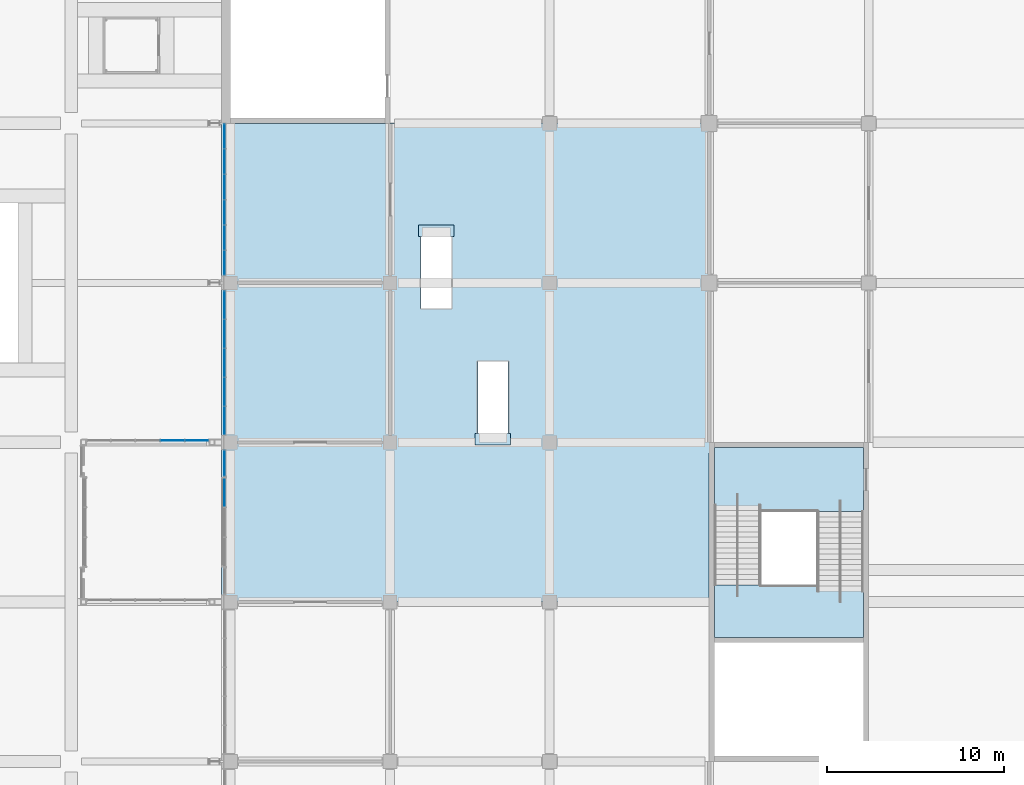
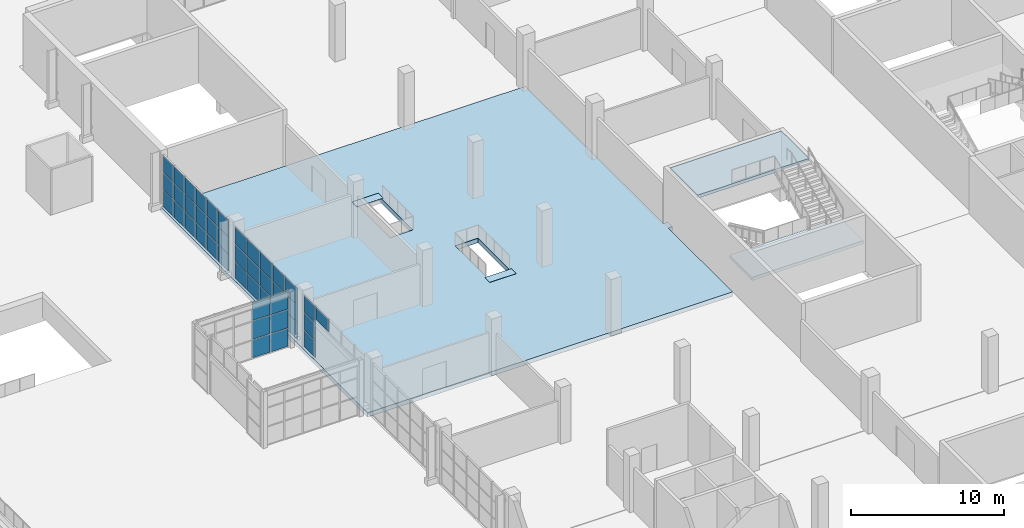
# One storey, part 81 of 168: 43 plates, 5 slabs, 6 elements without a shape of their own.
"""IFC4 building model written with IfcOpenShell, lengths in metres."""

from ifc_helpers import new_model, si_unit, direction, frame, origin, origin_2d, place, context, subcontext, project, spatial, polyline, rectangle, outline, extrude, material, layer, layer_set, type_object, element, aggregate, save


model = new_model("IFC4")

# Units and contexts
model_context = context("Model", 3, precision=1e-05, world=origin(), true_north=direction((0.0, 1.0)))
body_context = subcontext(model_context, "Body", "Model", "MODEL_VIEW")
ifc_project = project(units=[si_unit("LENGTHUNIT", "METRE"), si_unit("AREAUNIT", "SQUARE_METRE"), si_unit("VOLUMEUNIT", "CUBIC_METRE"), si_unit("PLANEANGLEUNIT", "RADIAN"), si_unit("MASSUNIT", "GRAM", prefix="KILO")], contexts=[model_context])

# Site, building, storey
site_placement = place(None, origin())
site = spatial("IfcSite", under=ifc_project, at=site_placement, CompositionType="ELEMENT")
building_placement = place(site_placement, origin())
building = spatial("IfcBuilding", under=site, at=building_placement, Name="Silverbay Arena", CompositionType="ELEMENT")
storey_placement = place(building_placement, frame((0.0, 0.0, 7.0)))
storey = spatial("IfcBuildingStorey", under=building, at=storey_placement, Name="L01", CompositionType="ELEMENT", Elevation=7.0)

# Slabs
ifc_material_1 = material(Name="Stainless steel", Category="steel")
ifc_layer_1 = layer(ifc_material_1, 0.011962890625)
ifc_layer_set_1 = layer_set([ifc_layer_1], Name="Stainless steel")
slab_type_1 = type_object("IfcSlabType", Name="Escalator landing plate 12", PredefinedType="LANDING", material=ifc_layer_set_1)
slab_1_placement = place(storey_placement, origin())
element("IfcSlab", 1, at=slab_1_placement, inside=storey, type_object=slab_type_1, Name="Escalator landing plate LF30", PredefinedType="LANDING", context=body_context, shape_type="SweptSolid", body=[
    extrude(outline(polyline([(37.60009765625, 119.624267578125), (39.60009765625, 119.624267578125), (39.60009765625, 120.2744140625), (37.60009765625, 120.2744140625), (37.60009765625, 119.624267578125)])), origin(), (0.0, 0.0, 1.0), 0.011962890625),
])
slab_2_placement = place(storey_placement, origin())
element("IfcSlab", 2, at=slab_2_placement, inside=storey, type_object=slab_type_1, Name="Escalator landing plate LF31", PredefinedType="LANDING", context=body_context, shape_type="SweptSolid", body=[
    extrude(outline(polyline([(40.800048828125, 107.85009765625), (42.800048828125, 107.85009765625), (42.800048828125, 108.5), (40.800048828125, 108.5), (40.800048828125, 107.85009765625)])), origin(), (0.0, 0.0, 1.0), 0.011962890625),
])

# Curtain wall, plates
ifc_material_2 = material(Name="Aluminium framed curtain wall", Category="aluminium")
curtain_wall_type_1 = type_object("IfcCurtainWallType", Name="Curtain wall 1550 x 4150", PredefinedType="NOTDEFINED", material=ifc_material_2)
curtain_wall_1_placement = place(storey_placement, origin())
curtain_wall_1 = element("IfcCurtainWall", 3, at=curtain_wall_1_placement, inside=storey, type_object=curtain_wall_type_1, Name="West curtain wall L01 bay 10", PredefinedType="NOTDEFINED")
ifc_material_3 = material(Name="Laminated glass", Category="glass")
ifc_layer_2 = layer(ifc_material_3, 0.028076171875)
ifc_layer_set_2 = layer_set([ifc_layer_2], Name="Laminated glass")
plate_type = type_object("IfcPlateType", Name="Glass panel 28", PredefinedType="CURTAIN_PANEL", material=ifc_layer_set_2)
plate_1_placement = place(storey_placement, frame((26.669921875, 106.824951171875, 0.0498046875), z_axis=(0.0, 0.0, 1.0), x_axis=(0.0, -1.0, 0.0)))
plate_1 = element("IfcPlate", 4, at=plate_1_placement, type_object=plate_type, Name="CW8 panel 1.1", PredefinedType="CURTAIN_PANEL", context=body_context, shape_type="SweptSolid", body=[
    extrude(rectangle(XDim=1.429931640625, YDim=0.028076171875, at=origin_2d()), origin(), (0.0, 0.0, 1.0), 1.308349609375),
])
plate_2_placement = place(storey_placement, frame((26.669921875, 106.824951171875, 1.408203125), z_axis=(0.0, 0.0, 1.0), x_axis=(0.0, -1.0, 0.0)))
plate_2 = element("IfcPlate", 5, at=plate_2_placement, type_object=plate_type, Name="CW8 panel 1.2", PredefinedType="CURTAIN_PANEL", context=body_context, shape_type="SweptSolid", body=[
    extrude(rectangle(XDim=1.429931640625, YDim=0.028076171875, at=origin_2d()), origin(), (0.0, 0.0, 1.0), 1.333251953125),
])
plate_3_placement = place(storey_placement, frame((26.669921875, 106.824951171875, 2.79150390625), z_axis=(0.0, 0.0, 1.0), x_axis=(0.0, -1.0, 0.0)))
plate_3 = element("IfcPlate", 6, at=plate_3_placement, type_object=plate_type, Name="CW8 panel 1.3", PredefinedType="CURTAIN_PANEL", context=body_context, shape_type="SweptSolid", body=[
    extrude(rectangle(XDim=1.429931640625, YDim=0.028076171875, at=origin_2d()), origin(), (0.0, 0.0, 1.0), 1.308349609375),
])
aggregate(curtain_wall_1, [plate_1, plate_2, plate_3])

# Curtain wall, plate
ifc_material_4 = material(Name="Aluminium framed curtain wall", Category="aluminium")
curtain_wall_type_2 = type_object("IfcCurtainWallType", Name="Curtain wall 5100 x 1050", PredefinedType="NOTDEFINED", material=ifc_material_4)
curtain_wall_2_placement = place(storey_placement, origin())
curtain_wall_2 = element("IfcCurtainWall", 7, at=curtain_wall_2_placement, inside=storey, type_object=curtain_wall_type_2, Name="West curtain wall L01 bay 10", PredefinedType="NOTDEFINED")
plate_4_placement = place(storey_placement, frame((26.669921875, 105.18505859375, 3.14990234375), z_axis=(0.0, 0.0, 1.0), x_axis=(0.0, -1.0, 0.0)))
plate_4 = element("IfcPlate", 8, at=plate_4_placement, type_object=plate_type, Name="CW9 panel 1.1", PredefinedType="CURTAIN_PANEL", context=body_context, shape_type="SweptSolid", body=[
    extrude(rectangle(XDim=1.610107421875, YDim=0.028076171875, at=origin_2d()), origin(), (0.0, 0.0, 1.0), 0.949951171875),
])
aggregate(curtain_wall_2, [plate_4])

# Curtain wall, plates
ifc_material_5 = material(Name="Aluminium framed curtain wall", Category="aluminium")
curtain_wall_type_3 = type_object("IfcCurtainWallType", Name="Curtain wall 8200 x 4150", PredefinedType="NOTDEFINED", material=ifc_material_5)
curtain_wall_3_placement = place(storey_placement, origin())
curtain_wall_3 = element("IfcCurtainWall", 9, at=curtain_wall_3_placement, inside=storey, type_object=curtain_wall_type_3, Name="West curtain wall L01 bay 11", PredefinedType="NOTDEFINED")
plate_5_placement = place(storey_placement, frame((26.669921875, 115.764892578125, 0.0498046875), z_axis=(0.0, 0.0, 1.0), x_axis=(0.0, -1.0, 0.0)))
plate_5 = element("IfcPlate", 10, at=plate_5_placement, type_object=plate_type, Name="CW7 panel 1.1", PredefinedType="CURTAIN_PANEL", context=body_context, shape_type="SweptSolid", body=[
    extrude(rectangle(XDim=1.550048828125, YDim=0.028076171875, at=origin_2d()), origin(), (0.0, 0.0, 1.0), 1.308349609375),
])
plate_6_placement = place(storey_placement, frame((26.669921875, 115.764892578125, 1.408203125), z_axis=(0.0, 0.0, 1.0), x_axis=(0.0, -1.0, 0.0)))
plate_6 = element("IfcPlate", 11, at=plate_6_placement, type_object=plate_type, Name="CW7 panel 1.2", PredefinedType="CURTAIN_PANEL", context=body_context, shape_type="SweptSolid", body=[
    extrude(rectangle(XDim=1.550048828125, YDim=0.028076171875, at=origin_2d()), origin(), (0.0, 0.0, 1.0), 1.333251953125),
])
plate_7_placement = place(storey_placement, frame((26.669921875, 115.764892578125, 2.79150390625), z_axis=(0.0, 0.0, 1.0), x_axis=(0.0, -1.0, 0.0)))
plate_7 = element("IfcPlate", 12, at=plate_7_placement, type_object=plate_type, Name="CW7 panel 1.3", PredefinedType="CURTAIN_PANEL", context=body_context, shape_type="SweptSolid", body=[
    extrude(rectangle(XDim=1.550048828125, YDim=0.028076171875, at=origin_2d()), origin(), (0.0, 0.0, 1.0), 1.308349609375),
])
plate_8_placement = place(storey_placement, frame((26.669921875, 114.139892578125, 0.0498046875), z_axis=(0.0, 0.0, 1.0), x_axis=(0.0, -1.0, 0.0)))
plate_8 = element("IfcPlate", 13, at=plate_8_placement, type_object=plate_type, Name="CW7 panel 2.1", PredefinedType="CURTAIN_PANEL", context=body_context, shape_type="SweptSolid", body=[
    extrude(rectangle(XDim=1.580078125, YDim=0.028076171875, at=origin_2d()), origin(), (0.0, 0.0, 1.0), 1.308349609375),
])
plate_9_placement = place(storey_placement, frame((26.669921875, 114.139892578125, 1.408203125), z_axis=(0.0, 0.0, 1.0), x_axis=(0.0, -1.0, 0.0)))
plate_9 = element("IfcPlate", 14, at=plate_9_placement, type_object=plate_type, Name="CW7 panel 2.2", PredefinedType="CURTAIN_PANEL", context=body_context, shape_type="SweptSolid", body=[
    extrude(rectangle(XDim=1.580078125, YDim=0.028076171875, at=origin_2d()), origin(), (0.0, 0.0, 1.0), 1.333251953125),
])
plate_10_placement = place(storey_placement, frame((26.669921875, 114.139892578125, 2.79150390625), z_axis=(0.0, 0.0, 1.0), x_axis=(0.0, -1.0, 0.0)))
plate_10 = element("IfcPlate", 15, at=plate_10_placement, type_object=plate_type, Name="CW7 panel 2.3", PredefinedType="CURTAIN_PANEL", context=body_context, shape_type="SweptSolid", body=[
    extrude(rectangle(XDim=1.580078125, YDim=0.028076171875, at=origin_2d()), origin(), (0.0, 0.0, 1.0), 1.308349609375),
])
plate_11_placement = place(storey_placement, frame((26.669921875, 112.5, 0.0498046875), z_axis=(0.0, 0.0, 1.0), x_axis=(0.0, -1.0, 0.0)))
plate_11 = element("IfcPlate", 16, at=plate_11_placement, type_object=plate_type, Name="CW7 panel 3.1", PredefinedType="CURTAIN_PANEL", context=body_context, shape_type="SweptSolid", body=[
    extrude(rectangle(XDim=1.580078125, YDim=0.028076171875, at=origin_2d()), origin(), (0.0, 0.0, 1.0), 1.308349609375),
])
plate_12_placement = place(storey_placement, frame((26.669921875, 112.5, 1.408203125), z_axis=(0.0, 0.0, 1.0), x_axis=(0.0, -1.0, 0.0)))
plate_12 = element("IfcPlate", 17, at=plate_12_placement, type_object=plate_type, Name="CW7 panel 3.2", PredefinedType="CURTAIN_PANEL", context=body_context, shape_type="SweptSolid", body=[
    extrude(rectangle(XDim=1.580078125, YDim=0.028076171875, at=origin_2d()), origin(), (0.0, 0.0, 1.0), 1.333251953125),
])
plate_13_placement = place(storey_placement, frame((26.669921875, 112.5, 2.79150390625), z_axis=(0.0, 0.0, 1.0), x_axis=(0.0, -1.0, 0.0)))
plate_13 = element("IfcPlate", 18, at=plate_13_placement, type_object=plate_type, Name="CW7 panel 3.3", PredefinedType="CURTAIN_PANEL", context=body_context, shape_type="SweptSolid", body=[
    extrude(rectangle(XDim=1.580078125, YDim=0.028076171875, at=origin_2d()), origin(), (0.0, 0.0, 1.0), 1.308349609375),
])
plate_14_placement = place(storey_placement, frame((26.669921875, 110.860107421875, 0.0498046875), z_axis=(0.0, 0.0, 1.0), x_axis=(0.0, -1.0, 0.0)))
plate_14 = element("IfcPlate", 19, at=plate_14_placement, type_object=plate_type, Name="CW7 panel 4.1", PredefinedType="CURTAIN_PANEL", context=body_context, shape_type="SweptSolid", body=[
    extrude(rectangle(XDim=1.580078125, YDim=0.028076171875, at=origin_2d()), origin(), (0.0, 0.0, 1.0), 1.308349609375),
])
plate_15_placement = place(storey_placement, frame((26.669921875, 110.860107421875, 1.408203125), z_axis=(0.0, 0.0, 1.0), x_axis=(0.0, -1.0, 0.0)))
plate_15 = element("IfcPlate", 20, at=plate_15_placement, type_object=plate_type, Name="CW7 panel 4.2", PredefinedType="CURTAIN_PANEL", context=body_context, shape_type="SweptSolid", body=[
    extrude(rectangle(XDim=1.580078125, YDim=0.028076171875, at=origin_2d()), origin(), (0.0, 0.0, 1.0), 1.333251953125),
])
plate_16_placement = place(storey_placement, frame((26.669921875, 110.860107421875, 2.79150390625), z_axis=(0.0, 0.0, 1.0), x_axis=(0.0, -1.0, 0.0)))
plate_16 = element("IfcPlate", 21, at=plate_16_placement, type_object=plate_type, Name="CW7 panel 4.3", PredefinedType="CURTAIN_PANEL", context=body_context, shape_type="SweptSolid", body=[
    extrude(rectangle(XDim=1.580078125, YDim=0.028076171875, at=origin_2d()), origin(), (0.0, 0.0, 1.0), 1.308349609375),
])
plate_17_placement = place(storey_placement, frame((26.669921875, 109.235107421875, 0.0498046875), z_axis=(0.0, 0.0, 1.0), x_axis=(0.0, -1.0, 0.0)))
plate_17 = element("IfcPlate", 22, at=plate_17_placement, type_object=plate_type, Name="CW7 panel 5.1", PredefinedType="CURTAIN_PANEL", context=body_context, shape_type="SweptSolid", body=[
    extrude(rectangle(XDim=1.550048828125, YDim=0.028076171875, at=origin_2d()), origin(), (0.0, 0.0, 1.0), 1.308349609375),
])
plate_18_placement = place(storey_placement, frame((26.669921875, 109.235107421875, 1.408203125), z_axis=(0.0, 0.0, 1.0), x_axis=(0.0, -1.0, 0.0)))
plate_18 = element("IfcPlate", 23, at=plate_18_placement, type_object=plate_type, Name="CW7 panel 5.2", PredefinedType="CURTAIN_PANEL", context=body_context, shape_type="SweptSolid", body=[
    extrude(rectangle(XDim=1.550048828125, YDim=0.028076171875, at=origin_2d()), origin(), (0.0, 0.0, 1.0), 1.333251953125),
])
plate_19_placement = place(storey_placement, frame((26.669921875, 109.235107421875, 2.79150390625), z_axis=(0.0, 0.0, 1.0), x_axis=(0.0, -1.0, 0.0)))
plate_19 = element("IfcPlate", 24, at=plate_19_placement, type_object=plate_type, Name="CW7 panel 5.3", PredefinedType="CURTAIN_PANEL", context=body_context, shape_type="SweptSolid", body=[
    extrude(rectangle(XDim=1.550048828125, YDim=0.028076171875, at=origin_2d()), origin(), (0.0, 0.0, 1.0), 1.308349609375),
])
aggregate(curtain_wall_3, [plate_5, plate_6, plate_7, plate_8, plate_9, plate_10, plate_11, plate_12, plate_13, plate_14, plate_15, plate_16, plate_17, plate_18, plate_19])

ifc_material_6 = material(Name="Aluminium framed curtain wall", Category="aluminium")
curtain_wall_type_4 = type_object("IfcCurtainWallType", Name="Curtain wall 8600 x 4150", PredefinedType="NOTDEFINED", material=ifc_material_6)
curtain_wall_4_placement = place(storey_placement, origin())
curtain_wall_4 = element("IfcCurtainWall", 25, at=curtain_wall_4_placement, inside=storey, type_object=curtain_wall_type_4, Name="West curtain wall L01 bay 12", PredefinedType="NOTDEFINED")
plate_20_placement = place(storey_placement, frame((26.669921875, 125.268310546875, 0.0498046875), z_axis=(0.0, 0.0, 1.0), x_axis=(0.0, -1.0, 0.0)))
plate_20 = element("IfcPlate", 26, at=plate_20_placement, type_object=plate_type, Name="CW6 panel 1.1", PredefinedType="CURTAIN_PANEL", context=body_context, shape_type="SweptSolid", body=[
    extrude(rectangle(XDim=1.34326171875, YDim=0.028076171875, at=origin_2d()), origin(), (0.0, 0.0, 1.0), 1.308349609375),
])
plate_21_placement = place(storey_placement, frame((26.669921875, 125.268310546875, 1.408203125), z_axis=(0.0, 0.0, 1.0), x_axis=(0.0, -1.0, 0.0)))
plate_21 = element("IfcPlate", 27, at=plate_21_placement, type_object=plate_type, Name="CW6 panel 1.2", PredefinedType="CURTAIN_PANEL", context=body_context, shape_type="SweptSolid", body=[
    extrude(rectangle(XDim=1.34326171875, YDim=0.028076171875, at=origin_2d()), origin(), (0.0, 0.0, 1.0), 1.333251953125),
])
plate_22_placement = place(storey_placement, frame((26.669921875, 125.268310546875, 2.79150390625), z_axis=(0.0, 0.0, 1.0), x_axis=(0.0, -1.0, 0.0)))
plate_22 = element("IfcPlate", 28, at=plate_22_placement, type_object=plate_type, Name="CW6 panel 1.3", PredefinedType="CURTAIN_PANEL", context=body_context, shape_type="SweptSolid", body=[
    extrude(rectangle(XDim=1.34326171875, YDim=0.028076171875, at=origin_2d()), origin(), (0.0, 0.0, 1.0), 1.308349609375),
])
plate_23_placement = place(storey_placement, frame((26.669921875, 123.85009765625, 0.0498046875), z_axis=(0.0, 0.0, 1.0), x_axis=(0.0, -1.0, 0.0)))
plate_23 = element("IfcPlate", 29, at=plate_23_placement, type_object=plate_type, Name="CW6 panel 2.1", PredefinedType="CURTAIN_PANEL", context=body_context, shape_type="SweptSolid", body=[
    extrude(rectangle(XDim=1.373291015625, YDim=0.028076171875, at=origin_2d()), origin(), (0.0, 0.0, 1.0), 1.308349609375),
])
plate_24_placement = place(storey_placement, frame((26.669921875, 123.85009765625, 1.408203125), z_axis=(0.0, 0.0, 1.0), x_axis=(0.0, -1.0, 0.0)))
plate_24 = element("IfcPlate", 30, at=plate_24_placement, type_object=plate_type, Name="CW6 panel 2.2", PredefinedType="CURTAIN_PANEL", context=body_context, shape_type="SweptSolid", body=[
    extrude(rectangle(XDim=1.373291015625, YDim=0.028076171875, at=origin_2d()), origin(), (0.0, 0.0, 1.0), 1.333251953125),
])
plate_25_placement = place(storey_placement, frame((26.669921875, 123.85009765625, 2.79150390625), z_axis=(0.0, 0.0, 1.0), x_axis=(0.0, -1.0, 0.0)))
plate_25 = element("IfcPlate", 31, at=plate_25_placement, type_object=plate_type, Name="CW6 panel 2.3", PredefinedType="CURTAIN_PANEL", context=body_context, shape_type="SweptSolid", body=[
    extrude(rectangle(XDim=1.373291015625, YDim=0.028076171875, at=origin_2d()), origin(), (0.0, 0.0, 1.0), 1.308349609375),
])
plate_26_placement = place(storey_placement, frame((26.669921875, 122.416748046875, 0.0498046875), z_axis=(0.0, 0.0, 1.0), x_axis=(0.0, -1.0, 0.0)))
plate_26 = element("IfcPlate", 32, at=plate_26_placement, type_object=plate_type, Name="CW6 panel 3.1", PredefinedType="CURTAIN_PANEL", context=body_context, shape_type="SweptSolid", body=[
    extrude(rectangle(XDim=1.373291015625, YDim=0.028076171875, at=origin_2d()), origin(), (0.0, 0.0, 1.0), 1.308349609375),
])
plate_27_placement = place(storey_placement, frame((26.669921875, 122.416748046875, 1.408203125), z_axis=(0.0, 0.0, 1.0), x_axis=(0.0, -1.0, 0.0)))
plate_27 = element("IfcPlate", 33, at=plate_27_placement, type_object=plate_type, Name="CW6 panel 3.2", PredefinedType="CURTAIN_PANEL", context=body_context, shape_type="SweptSolid", body=[
    extrude(rectangle(XDim=1.373291015625, YDim=0.028076171875, at=origin_2d()), origin(), (0.0, 0.0, 1.0), 1.333251953125),
])
plate_28_placement = place(storey_placement, frame((26.669921875, 122.416748046875, 2.79150390625), z_axis=(0.0, 0.0, 1.0), x_axis=(0.0, -1.0, 0.0)))
plate_28 = element("IfcPlate", 34, at=plate_28_placement, type_object=plate_type, Name="CW6 panel 3.3", PredefinedType="CURTAIN_PANEL", context=body_context, shape_type="SweptSolid", body=[
    extrude(rectangle(XDim=1.373291015625, YDim=0.028076171875, at=origin_2d()), origin(), (0.0, 0.0, 1.0), 1.308349609375),
])
plate_29_placement = place(storey_placement, frame((26.669921875, 120.9833984375, 0.0498046875), z_axis=(0.0, 0.0, 1.0), x_axis=(0.0, -1.0, 0.0)))
plate_29 = element("IfcPlate", 35, at=plate_29_placement, type_object=plate_type, Name="CW6 panel 4.1", PredefinedType="CURTAIN_PANEL", context=body_context, shape_type="SweptSolid", body=[
    extrude(rectangle(XDim=1.373291015625, YDim=0.028076171875, at=origin_2d()), origin(), (0.0, 0.0, 1.0), 1.308349609375),
])
plate_30_placement = place(storey_placement, frame((26.669921875, 120.9833984375, 1.408203125), z_axis=(0.0, 0.0, 1.0), x_axis=(0.0, -1.0, 0.0)))
plate_30 = element("IfcPlate", 36, at=plate_30_placement, type_object=plate_type, Name="CW6 panel 4.2", PredefinedType="CURTAIN_PANEL", context=body_context, shape_type="SweptSolid", body=[
    extrude(rectangle(XDim=1.373291015625, YDim=0.028076171875, at=origin_2d()), origin(), (0.0, 0.0, 1.0), 1.333251953125),
])
plate_31_placement = place(storey_placement, frame((26.669921875, 120.9833984375, 2.79150390625), z_axis=(0.0, 0.0, 1.0), x_axis=(0.0, -1.0, 0.0)))
plate_31 = element("IfcPlate", 37, at=plate_31_placement, type_object=plate_type, Name="CW6 panel 4.3", PredefinedType="CURTAIN_PANEL", context=body_context, shape_type="SweptSolid", body=[
    extrude(rectangle(XDim=1.373291015625, YDim=0.028076171875, at=origin_2d()), origin(), (0.0, 0.0, 1.0), 1.308349609375),
])
plate_32_placement = place(storey_placement, frame((26.669921875, 119.550048828125, 0.0498046875), z_axis=(0.0, 0.0, 1.0), x_axis=(0.0, -1.0, 0.0)))
plate_32 = element("IfcPlate", 38, at=plate_32_placement, type_object=plate_type, Name="CW6 panel 5.1", PredefinedType="CURTAIN_PANEL", context=body_context, shape_type="SweptSolid", body=[
    extrude(rectangle(XDim=1.373291015625, YDim=0.028076171875, at=origin_2d()), origin(), (0.0, 0.0, 1.0), 1.308349609375),
])
plate_33_placement = place(storey_placement, frame((26.669921875, 119.550048828125, 1.408203125), z_axis=(0.0, 0.0, 1.0), x_axis=(0.0, -1.0, 0.0)))
plate_33 = element("IfcPlate", 39, at=plate_33_placement, type_object=plate_type, Name="CW6 panel 5.2", PredefinedType="CURTAIN_PANEL", context=body_context, shape_type="SweptSolid", body=[
    extrude(rectangle(XDim=1.373291015625, YDim=0.028076171875, at=origin_2d()), origin(), (0.0, 0.0, 1.0), 1.333251953125),
])
plate_34_placement = place(storey_placement, frame((26.669921875, 119.550048828125, 2.79150390625), z_axis=(0.0, 0.0, 1.0), x_axis=(0.0, -1.0, 0.0)))
plate_34 = element("IfcPlate", 40, at=plate_34_placement, type_object=plate_type, Name="CW6 panel 5.3", PredefinedType="CURTAIN_PANEL", context=body_context, shape_type="SweptSolid", body=[
    extrude(rectangle(XDim=1.373291015625, YDim=0.028076171875, at=origin_2d()), origin(), (0.0, 0.0, 1.0), 1.308349609375),
])
plate_35_placement = place(storey_placement, frame((26.669921875, 118.131591796875, 0.0498046875), z_axis=(0.0, 0.0, 1.0), x_axis=(0.0, -1.0, 0.0)))
plate_35 = element("IfcPlate", 41, at=plate_35_placement, type_object=plate_type, Name="CW6 panel 6.1", PredefinedType="CURTAIN_PANEL", context=body_context, shape_type="SweptSolid", body=[
    extrude(rectangle(XDim=1.34326171875, YDim=0.028076171875, at=origin_2d()), origin(), (0.0, 0.0, 1.0), 1.308349609375),
])
plate_36_placement = place(storey_placement, frame((26.669921875, 118.131591796875, 1.408203125), z_axis=(0.0, 0.0, 1.0), x_axis=(0.0, -1.0, 0.0)))
plate_36 = element("IfcPlate", 42, at=plate_36_placement, type_object=plate_type, Name="CW6 panel 6.2", PredefinedType="CURTAIN_PANEL", context=body_context, shape_type="SweptSolid", body=[
    extrude(rectangle(XDim=1.34326171875, YDim=0.028076171875, at=origin_2d()), origin(), (0.0, 0.0, 1.0), 1.333251953125),
])
plate_37_placement = place(storey_placement, frame((26.669921875, 118.131591796875, 2.79150390625), z_axis=(0.0, 0.0, 1.0), x_axis=(0.0, -1.0, 0.0)))
plate_37 = element("IfcPlate", 43, at=plate_37_placement, type_object=plate_type, Name="CW6 panel 6.3", PredefinedType="CURTAIN_PANEL", context=body_context, shape_type="SweptSolid", body=[
    extrude(rectangle(XDim=1.34326171875, YDim=0.028076171875, at=origin_2d()), origin(), (0.0, 0.0, 1.0), 1.308349609375),
])
aggregate(curtain_wall_4, [plate_20, plate_21, plate_22, plate_23, plate_24, plate_25, plate_26, plate_27, plate_28, plate_29, plate_30, plate_31, plate_32, plate_33, plate_34, plate_35, plate_36, plate_37])

ifc_material_7 = material(Name="Aluminium framed curtain wall", Category="aluminium")
curtain_wall_type_5 = type_object("IfcCurtainWallType", Name="Curtain wall 6950 x 4500", PredefinedType="NOTDEFINED", material=ifc_material_7)
curtain_wall_5_placement = place(storey_placement, origin())
curtain_wall_5 = element("IfcCurtainWall", 44, at=curtain_wall_5_placement, inside=storey, type_object=curtain_wall_type_5, Name="West entrance hall W1 glazing SB", PredefinedType="NOTDEFINED")
plate_38_placement = place(storey_placement, frame((23.715087890625, 108.110107421875, 0.0498046875), z_axis=(0.0, 0.0, 1.0), x_axis=(1.0, 0.0, 0.0)))
plate_38 = element("IfcPlate", 45, at=plate_38_placement, type_object=plate_type, Name="CW51 panel 4.1", PredefinedType="CURTAIN_PANEL", context=body_context, shape_type="SweptSolid", body=[
    extrude(rectangle(XDim=1.330078125, YDim=0.028076171875, at=origin_2d()), origin(), (0.0, 0.0, 1.0), 1.425048828125),
])
plate_39_placement = place(storey_placement, frame((23.715087890625, 108.110107421875, 1.52490234375), z_axis=(0.0, 0.0, 1.0), x_axis=(1.0, 0.0, 0.0)))
plate_39 = element("IfcPlate", 46, at=plate_39_placement, type_object=plate_type, Name="CW51 panel 4.2", PredefinedType="CURTAIN_PANEL", context=body_context, shape_type="SweptSolid", body=[
    extrude(rectangle(XDim=1.330078125, YDim=0.028076171875, at=origin_2d()), origin(), (0.0, 0.0, 1.0), 1.449951171875),
])
plate_40_placement = place(storey_placement, frame((23.715087890625, 108.110107421875, 3.02490234375), z_axis=(0.0, 0.0, 1.0), x_axis=(1.0, 0.0, 0.0)))
plate_40 = element("IfcPlate", 47, at=plate_40_placement, type_object=plate_type, Name="CW51 panel 4.3", PredefinedType="CURTAIN_PANEL", context=body_context, shape_type="SweptSolid", body=[
    extrude(rectangle(XDim=1.330078125, YDim=0.028076171875, at=origin_2d()), origin(), (0.0, 0.0, 1.0), 1.425048828125),
])
plate_41_placement = place(storey_placement, frame((25.090087890625, 108.110107421875, 0.0498046875), z_axis=(0.0, 0.0, 1.0), x_axis=(1.0, 0.0, 0.0)))
plate_41 = element("IfcPlate", 48, at=plate_41_placement, type_object=plate_type, Name="CW51 panel 5.1", PredefinedType="CURTAIN_PANEL", context=body_context, shape_type="SweptSolid", body=[
    extrude(rectangle(XDim=1.300048828125, YDim=0.028076171875, at=origin_2d()), origin(), (0.0, 0.0, 1.0), 1.425048828125),
])
plate_42_placement = place(storey_placement, frame((25.090087890625, 108.110107421875, 1.52490234375), z_axis=(0.0, 0.0, 1.0), x_axis=(1.0, 0.0, 0.0)))
plate_42 = element("IfcPlate", 49, at=plate_42_placement, type_object=plate_type, Name="CW51 panel 5.2", PredefinedType="CURTAIN_PANEL", context=body_context, shape_type="SweptSolid", body=[
    extrude(rectangle(XDim=1.300048828125, YDim=0.028076171875, at=origin_2d()), origin(), (0.0, 0.0, 1.0), 1.449951171875),
])
plate_43_placement = place(storey_placement, frame((25.090087890625, 108.110107421875, 3.02490234375), z_axis=(0.0, 0.0, 1.0), x_axis=(1.0, 0.0, 0.0)))
plate_43 = element("IfcPlate", 50, at=plate_43_placement, type_object=plate_type, Name="CW51 panel 5.3", PredefinedType="CURTAIN_PANEL", context=body_context, shape_type="SweptSolid", body=[
    extrude(rectangle(XDim=1.300048828125, YDim=0.028076171875, at=origin_2d()), origin(), (0.0, 0.0, 1.0), 1.425048828125),
])
aggregate(curtain_wall_5, [plate_38, plate_39, plate_40, plate_41, plate_42, plate_43])

# Slab
ifc_material_8 = material(Name="Concrete Grade C45", Category="concrete")
ifc_layer_3 = layer(ifc_material_8, 0.35009765625)
ifc_layer_set_3 = layer_set([ifc_layer_3], Name="Concrete Grade C45")
slab_type_2 = type_object("IfcSlabType", Name="RC floor slab 350", PredefinedType="FLOOR", material=ifc_layer_set_3)
slab_3_placement = place(storey_placement, frame((0.0, 0.0, -0.35009765625)))
element("IfcSlab", 51, at=slab_3_placement, inside=storey, type_object=slab_type_2, Name="Floor slab L01 unit 15", PredefinedType="FLOOR", context=body_context, shape_type="SweptSolid", body=[
    extrude(outline(polyline([(54.300048828125, 107.39990234375), (54.0, 107.39990234375), (54.0, 99.0), (26.5, 99.0), (26.5, 126.02490234375), (27.0, 126.02490234375), (27.0, 126.0), (36.0, 126.0), (36.0, 126.02490234375), (54.0, 126.02490234375), (54.0, 108.0), (54.300048828125, 108.0), (54.300048828125, 107.39990234375)]), holes=[polyline([(42.64990234375, 112.590087890625), (40.949951171875, 112.590087890625), (40.949951171875, 108.0), (42.64990234375, 108.0), (42.64990234375, 112.590087890625)]), polyline([(37.75, 120.125), (37.75, 115.534912109375), (39.449951171875, 115.534912109375), (39.449951171875, 120.125), (37.75, 120.125)])]), origin(), (0.0, 0.0, 1.0), 0.35009765625),
])

# Stair, slabs
ifc_material_9 = material(Name="Concrete Grade C45", Category="concrete")
stair_type = type_object("IfcStairType", Name="Stair 2600 wide 32 risers 140.6 x 300", PredefinedType="HALF_TURN_STAIR", material=ifc_material_9)
stair_placement = place(storey_placement, origin())
stair = element("IfcStair", 52, at=stair_placement, inside=storey, type_object=stair_type, Name="Stair ST-W2 L01 to L02", PredefinedType="HALF_TURN_STAIR")
ifc_material_10 = material(Name="Concrete Grade C45", Category="concrete")
ifc_layer_4 = layer(ifc_material_10, 0.25)
ifc_layer_set_4 = layer_set([ifc_layer_4], Name="Concrete Grade C45")
slab_type_3 = type_object("IfcSlabType", Name="Stair landing RC 250", PredefinedType="LANDING", material=ifc_layer_set_4)
slab_4_placement = place(storey_placement, frame((0.0, 0.0, 2.0)))
slab_4 = element("IfcSlab", 53, at=slab_4_placement, type_object=slab_type_3, Name="Stair ST-W2 L01 to L02 landing 1", PredefinedType="LANDING", context=body_context, shape_type="SweptSolid", body=[
    extrude(outline(polyline([(62.699951171875, 99.953369140625), (62.699951171875, 97.0), (54.300048828125, 97.0), (54.300048828125, 99.953369140625), (62.699951171875, 99.953369140625)])), origin(), (0.0, 0.0, 1.0), 0.25),
])
slab_5_placement = place(storey_placement, frame((0.0, 0.0, 4.25)))
slab_5 = element("IfcSlab", 54, at=slab_5_placement, type_object=slab_type_3, Name="Stair ST-W2 L01 to L02 landing 2", PredefinedType="LANDING", context=body_context, shape_type="SweptSolid", body=[
    extrude(outline(polyline([(62.699951171875, 107.699951171875), (62.699951171875, 104.10009765625), (54.300048828125, 104.10009765625), (54.300048828125, 107.699951171875), (62.699951171875, 107.699951171875)])), origin(), (0.0, 0.0, 1.0), 0.25),
])
aggregate(stair, [slab_4, slab_5])

save(model, "model.ifc")
